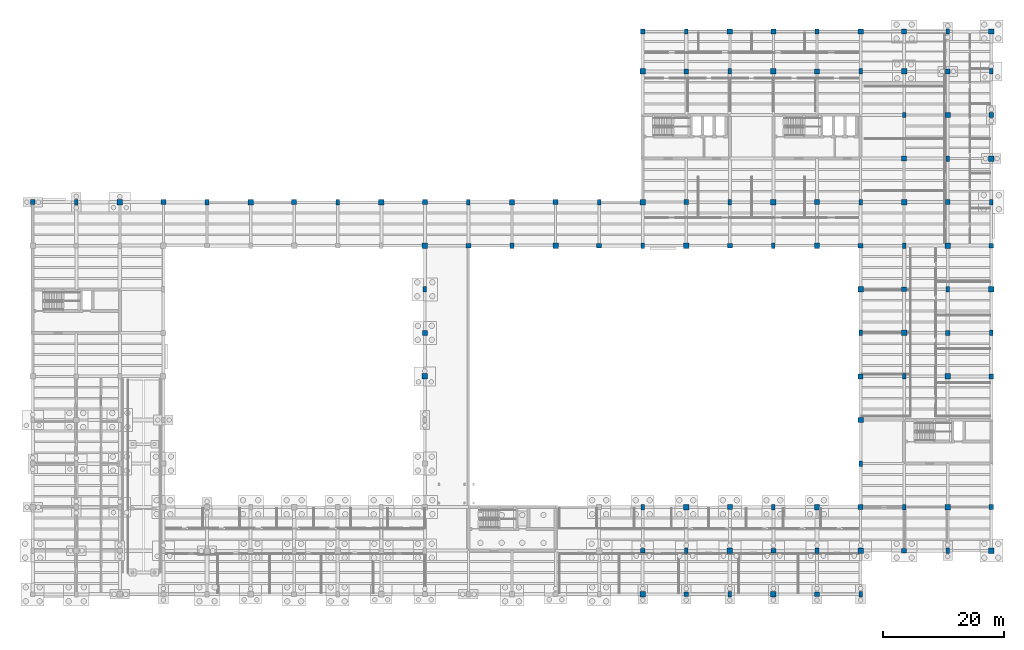
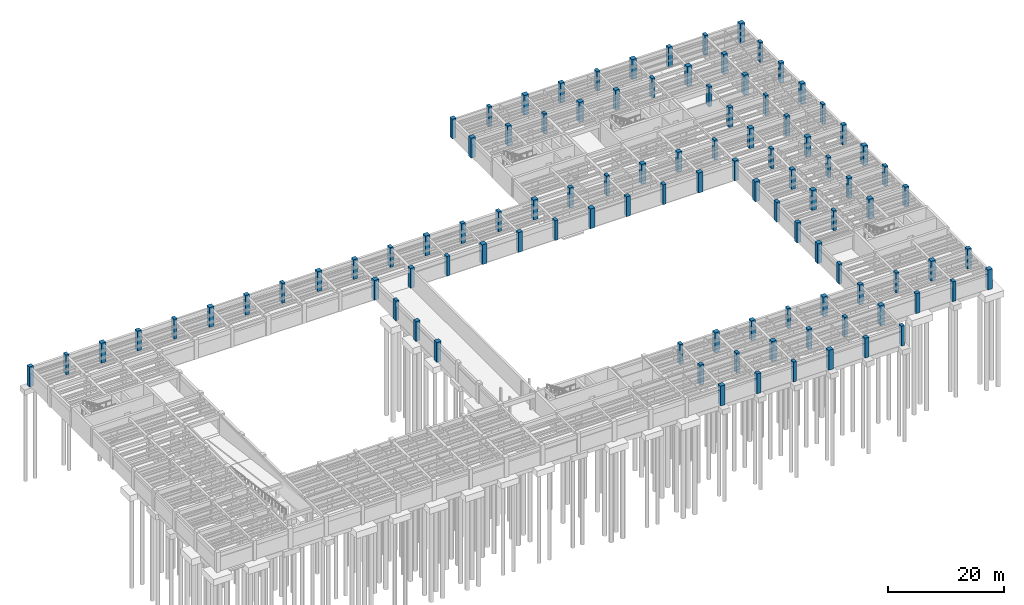
# One storey, part 7 of 33: 102 columns.
"""IFC4 building model written with IfcOpenShell, lengths in metres."""

from ifc_helpers import new_model, si_unit, direction, frame, origin, origin_2d, place, context, subcontext, project, spatial, rectangle, extrude, material, material_profile, profile_set, type_object, element, save


model = new_model("IFC4")

# Units and contexts
model_context = context("Model", 3, precision=1e-05, world=origin(), true_north=direction((0.0, 1.0)))
body_context = subcontext(model_context, "Body", "Model", "MODEL_VIEW")
ifc_project = project(units=[si_unit("LENGTHUNIT", "METRE"), si_unit("AREAUNIT", "SQUARE_METRE"), si_unit("VOLUMEUNIT", "CUBIC_METRE"), si_unit("PLANEANGLEUNIT", "RADIAN"), si_unit("MASSUNIT", "GRAM", prefix="KILO")], contexts=[model_context])

# Site, building, storey
site_placement = place(None, origin())
site = spatial("IfcSite", under=ifc_project, at=site_placement, CompositionType="ELEMENT")
building_placement = place(site_placement, origin())
building = spatial("IfcBuilding", under=site, at=building_placement, Name="Mithqara Police Headquarters", CompositionType="ELEMENT")
storey_placement = place(building_placement, frame((0.0, 0.0, -4.199951171875)))
storey = spatial("IfcBuildingStorey", under=building, at=storey_placement, Name="B1", CompositionType="ELEMENT", Elevation=-4.199951171875)

# Columns
ifc_material = material(Name="Concrete C50/60", Category="concrete")
ifc_material_profile_1 = material_profile(ifc_material, rectangle(XDim=0.60009765625, YDim=0.89990234375, at=origin_2d()), Name="RC 600x900")
ifc_profile_set_1 = profile_set([ifc_material_profile_1], Name="Concrete C50/60")
column_type_1 = type_object("IfcColumnType", Name="COLUMN RC600X900", PredefinedType="COLUMN", material=ifc_profile_set_1)
for number, where, z_axis, x_axis, name in (
    (1, (15.0, 85.800048828125, 0.0), (0.0, 0.0, 1.0), (1.0, 0.0, 0.0), "B1 Column 3/N"),
    (2, (36.60009765625, 85.800048828125, 0.0), (0.0, 0.0, 1.0), (1.0, 0.0, 0.0), "B1 Column 6/N"),
    (3, (58.199951171875, 85.800048828125, 0.0), (0.0, 0.0, 1.0), (1.0, 0.0, 0.0), "B1 Column 9/N"),
    (4, (72.60009765625, 71.39990234375, 0.0), (0.0, 0.0, 1.0), (1.0, 0.0, 0.0), "B1 Column 11/L"),
    (5, (79.800048828125, 85.800048828125, 0.0), (0.0, 0.0, 1.0), (1.0, 0.0, 0.0), "B1 Column 12/N"),
    (6, (87.0, 78.60009765625, 0.0), (0.0, 0.0, 1.0), (1.0, 0.0, 0.0), "B1 Column 13/M"),
    (7, (101.39990234375, 85.800048828125, 0.0), (0.0, 0.0, 1.0), (1.0, 0.0, 0.0), "B1 Column 15/N"),
    (8, (108.60009765625, 35.39990234375, 0.0), (0.0, 0.0, 1.0), (1.0, 0.0, 0.0), "B1 Column 16/F"),
    (9, (108.60009765625, 78.60009765625, 0.0), (0.0, 0.0, 1.0), (1.0, 0.0, 0.0), "B1 Column 16/M"),
    (10, (115.800048828125, 28.199951171875, 0.0), (0.0, 0.0, 1.0), (1.0, 0.0, 0.0), "B1 Column 17/E"),
    (11, (115.800048828125, 114.0, 0.0), (0.0, 0.0, 1.0), (1.0, 0.0, 0.0), "B1 Column 17/S"),
    (12, (123.0, 21.0, 0.0), (0.0, 0.0, 1.0), (1.0, 0.0, 0.0), "B1 Column 18/D"),
    (13, (123.0, 85.800048828125, 0.0), (0.0, 0.0, 1.0), (1.0, 0.0, 0.0), "B1 Column 18/N"),
    (14, (123.0, 107.39990234375, 0.0), (0.0, 0.0, 1.0), (1.0, 0.0, 0.0), "B1 Column 18/R"),
    (15, (130.199951171875, 35.39990234375, 0.0), (0.0, 0.0, 1.0), (1.0, 0.0, 0.0), "B1 Column 19/F"),
    (16, (130.199951171875, 78.60009765625, 0.0), (0.0, 0.0, 1.0), (1.0, 0.0, 0.0), "B1 Column 19/M"),
    (17, (137.39990234375, 28.199951171875, 0.0), (0.0, 0.0, 1.0), (1.0, 0.0, 0.0), "B1 Column 20/E"),
    (18, (137.39990234375, 114.0, 0.0), (0.0, 0.0, 1.0), (1.0, 0.0, 0.0), "B1 Column 20/S"),
    (19, (144.60009765625, 21.0, 0.0), (0.0, 0.0, 1.0), (1.0, 0.0, 0.0), "B1 Column 21/D"),
    (20, (144.60009765625, 42.60009765625, 0.0), (0.0, 0.0, 1.0), (1.0, 0.0, 0.0), "B1 Column 21/G"),
    (21, (144.60009765625, 64.199951171875, 0.0), (0.0, 0.0, 1.0), (1.0, 0.0, 0.0), "B1 Column 21/K"),
    (22, (144.60009765625, 85.800048828125, 0.0), (0.0, 0.0, 1.0), (1.0, 0.0, 0.0), "B1 Column 21/N"),
    (23, (144.60009765625, 107.39990234375, 0.0), (0.0, 0.0, 1.0), (1.0, 0.0, 0.0), "B1 Column 21/R"),
    (24, (151.800048828125, 35.39990234375, 0.0), (0.0, 0.0, 1.0), (1.0, 0.0, 0.0), "B1 Column 22/F"),
    (25, (151.800048828125, 57.0, 0.0), (0.0, 0.0, 1.0), (1.0, 0.0, 0.0), "B1 Column 22/J"),
    (26, (151.800048828125, 78.60009765625, 0.0), (0.0, 0.0, 1.0), (1.0, 0.0, 0.0), "B1 Column 22/M"),
    (27, (151.800048828125, 100.199951171875, 0.0), (0.0, 0.0, 1.0), (1.0, 0.0, 0.0), "B1 Column 22/Q"),
    (28, (159.0, 28.199951171875, 0.0), (0.0, 0.0, 1.0), (1.0, 0.0, 0.0), "B1 Column 23/E"),
    (29, (159.0, 71.39990234375, 0.0), (0.0, 0.0, 1.0), (1.0, 0.0, 0.0), "B1 Column 23/L"),
    (30, (159.0, 93.0, 0.0), (0.0, 0.0, 1.0), (1.0, 0.0, 0.0), "B1 Column 23/P"),
    (31, (159.0, 114.0, 0.0), (0.0, 0.0, 1.0), (1.0, 0.0, 0.0), "B1 Column 23/S"),
    (32, (166.199951171875, 64.199951171875, 0.0), (0.0, 0.0, 1.0), (1.0, 0.0, 0.0), "B1 Column 24/K"),
    (33, (166.199951171875, 85.800048828125, 0.0), (0.0, 0.0, 1.0), (1.0, 0.0, 0.0), "B1 Column 24/N"),
    (34, (166.199951171875, 107.39990234375, 0.0), (0.0, 0.0, 1.0), (1.0, 0.0, 0.0), "B1 Column 24/R"),
):
    element("IfcColumn", number, at=place(storey_placement, frame(where, z_axis=z_axis, x_axis=x_axis)), inside=storey, type_object=column_type_1, Name=name, PredefinedType="COLUMN", context=body_context, shape_type="SweptSolid", body=[
        extrude(rectangle(XDim=0.60009765625, YDim=0.89990234375, at=origin_2d()), origin(), (0.0, 0.0, 1.0), 4.199951171875),
    ])
ifc_material_profile_2 = material_profile(ifc_material, rectangle(XDim=0.800048828125, YDim=0.800048828125, at=origin_2d()), Name="RC 800x800")
ifc_profile_set_2 = profile_set([ifc_material_profile_2], Name="Concrete C50/60")
column_type_2 = type_object("IfcColumnType", Name="COLUMN RC800", PredefinedType="COLUMN", material=ifc_profile_set_2)
for number, where, z_axis, x_axis, name in (
    (35, (7.800048828125, 85.800048828125, 0.0), (0.0, 0.0, 1.0), (1.0, 0.0, 0.0), "B1 Column 2/N"),
    (36, (29.39990234375, 85.800048828125, 0.0), (0.0, 0.0, 1.0), (1.0, 0.0, 0.0), "B1 Column 5/N"),
    (37, (51.0, 85.800048828125, 0.0), (0.0, 0.0, 1.0), (1.0, 0.0, 0.0), "B1 Column 8/N"),
    (38, (72.60009765625, 64.199951171875, 0.0), (0.0, 0.0, 1.0), (1.0, 0.0, 0.0), "B1 Column 11/K"),
    (39, (72.60009765625, 85.800048828125, 0.0), (0.0, 0.0, 1.0), (1.0, 0.0, 0.0), "B1 Column 11/N"),
    (40, (79.800048828125, 78.60009765625, 0.0), (0.0, 0.0, 1.0), (1.0, 0.0, 0.0), "B1 Column 12/M"),
    (41, (94.199951171875, 85.800048828125, 0.0), (0.0, 0.0, 1.0), (1.0, 0.0, 0.0), "B1 Column 14/N"),
    (42, (101.39990234375, 78.60009765625, 0.0), (0.0, 0.0, 1.0), (1.0, 0.0, 0.0), "B1 Column 15/M"),
    (43, (108.60009765625, 28.199951171875, 0.0), (0.0, 0.0, 1.0), (1.0, 0.0, 0.0), "B1 Column 16/E"),
    (44, (108.60009765625, 114.0, 0.0), (0.0, 0.0, 1.0), (1.0, 0.0, 0.0), "B1 Column 16/S"),
    (45, (115.800048828125, 21.0, 0.0), (0.0, 0.0, 1.0), (1.0, 0.0, 0.0), "B1 Column 17/D"),
    (46, (115.800048828125, 85.800048828125, 0.0), (0.0, 0.0, 1.0), (1.0, 0.0, 0.0), "B1 Column 17/N"),
    (47, (115.800048828125, 107.39990234375, 0.0), (0.0, 0.0, 1.0), (1.0, 0.0, 0.0), "B1 Column 17/R"),
    (48, (123.0, 35.39990234375, 0.0), (0.0, 0.0, 1.0), (1.0, 0.0, 0.0), "B1 Column 18/F"),
    (49, (123.0, 78.60009765625, 0.0), (0.0, 0.0, 1.0), (1.0, 0.0, 0.0), "B1 Column 18/M"),
    (50, (130.199951171875, 28.199951171875, 0.0), (0.0, 0.0, 1.0), (1.0, 0.0, 0.0), "B1 Column 19/E"),
    (51, (130.199951171875, 114.0, 0.0), (0.0, 0.0, 1.0), (1.0, 0.0, 0.0), "B1 Column 19/S"),
    (52, (137.39990234375, 21.0, 0.0), (0.0, 0.0, 1.0), (1.0, 0.0, 0.0), "B1 Column 20/D"),
    (53, (137.39990234375, 85.800048828125, 0.0), (0.0, 0.0, 1.0), (1.0, 0.0, 0.0), "B1 Column 20/N"),
    (54, (137.39990234375, 107.39990234375, 0.0), (0.0, 0.0, 1.0), (1.0, 0.0, 0.0), "B1 Column 20/R"),
    (55, (144.60009765625, 35.39990234375, 0.0), (0.0, 0.0, 1.0), (1.0, 0.0, 0.0), "B1 Column 21/F"),
    (56, (144.60009765625, 57.0, 0.0), (0.0, 0.0, 1.0), (1.0, 0.0, 0.0), "B1 Column 21/J"),
    (57, (144.60009765625, 78.60009765625, 0.0), (0.0, 0.0, 1.0), (1.0, 0.0, 0.0), "B1 Column 21/M"),
    (58, (151.800048828125, 28.199951171875, 0.0), (0.0, 0.0, 1.0), (1.0, 0.0, 0.0), "B1 Column 22/E"),
    (59, (151.800048828125, 71.39990234375, 0.0), (0.0, 0.0, 1.0), (1.0, 0.0, 0.0), "B1 Column 22/L"),
    (60, (151.800048828125, 93.0, 0.0), (0.0, 0.0, 1.0), (1.0, 0.0, 0.0), "B1 Column 22/P"),
    (61, (151.800048828125, 114.0, 0.0), (0.0, 0.0, 1.0), (1.0, 0.0, 0.0), "B1 Column 22/S"),
    (62, (159.0, 64.199951171875, 0.0), (0.0, 0.0, 1.0), (1.0, 0.0, 0.0), "B1 Column 23/K"),
    (63, (159.0, 85.800048828125, 0.0), (0.0, 0.0, 1.0), (1.0, 0.0, 0.0), "B1 Column 23/N"),
    (64, (159.0, 107.39990234375, 0.0), (0.0, 0.0, 1.0), (1.0, 0.0, 0.0), "B1 Column 23/R"),
    (65, (166.199951171875, 35.39990234375, 0.0), (0.0, 0.0, 1.0), (1.0, 0.0, 0.0), "B1 Column 24/F"),
    (66, (166.199951171875, 57.0, 0.0), (0.0, 0.0, 1.0), (1.0, 0.0, 0.0), "B1 Column 24/J"),
    (67, (166.199951171875, 78.60009765625, 0.0), (0.0, 0.0, 1.0), (1.0, 0.0, 0.0), "B1 Column 24/M"),
    (68, (166.199951171875, 100.199951171875, 0.0), (0.0, 0.0, 1.0), (1.0, 0.0, 0.0), "B1 Column 24/Q"),
):
    element("IfcColumn", number, at=place(storey_placement, frame(where, z_axis=z_axis, x_axis=x_axis)), inside=storey, type_object=column_type_2, Name=name, PredefinedType="COLUMN", context=body_context, shape_type="SweptSolid", body=[
        extrude(rectangle(XDim=0.800048828125, YDim=0.800048828125, at=origin_2d()), origin(), (0.0, 0.0, 1.0), 4.199951171875),
    ])
ifc_material_profile_3 = material_profile(ifc_material, rectangle(XDim=0.89990234375, YDim=0.89990234375, at=origin_2d()), Name="RC 900x900")
ifc_profile_set_3 = profile_set([ifc_material_profile_3], Name="Concrete C50/60")
column_type_3 = type_object("IfcColumnType", Name="COLUMN RC900", PredefinedType="COLUMN", material=ifc_profile_set_3)
for number, where, z_axis, x_axis, name in (
    (69, (22.199951171875, 85.800048828125, 0.0), (0.0, 0.0, 1.0), (1.0, 0.0, 0.0), "B1 Column 4/N"),
    (70, (43.800048828125, 85.800048828125, 0.0), (0.0, 0.0, 1.0), (1.0, 0.0, 0.0), "B1 Column 7/N"),
    (71, (65.39990234375, 85.800048828125, 0.0), (0.0, 0.0, 1.0), (1.0, 0.0, 0.0), "B1 Column 10/N"),
    (72, (72.60009765625, 57.0, 0.0), (0.0, 0.0, 1.0), (1.0, 0.0, 0.0), "B1 Column 11/J"),
    (73, (72.60009765625, 78.60009765625, 0.0), (0.0, 0.0, 1.0), (1.0, 0.0, 0.0), "B1 Column 11/M"),
    (74, (87.0, 85.800048828125, 0.0), (0.0, 0.0, 1.0), (1.0, 0.0, 0.0), "B1 Column 13/N"),
    (75, (94.199951171875, 78.60009765625, 0.0), (0.0, 0.0, 1.0), (1.0, 0.0, 0.0), "B1 Column 14/M"),
    (76, (108.60009765625, 21.0, 0.0), (0.0, 0.0, 1.0), (1.0, 0.0, 0.0), "B1 Column 16/D"),
    (77, (108.60009765625, 85.800048828125, 0.0), (0.0, 0.0, 1.0), (1.0, 0.0, 0.0), "B1 Column 16/N"),
    (78, (108.60009765625, 107.39990234375, 0.0), (0.0, 0.0, 1.0), (1.0, 0.0, 0.0), "B1 Column 16/R"),
    (79, (115.800048828125, 35.39990234375, 0.0), (0.0, 0.0, 1.0), (1.0, 0.0, 0.0), "B1 Column 17/F"),
    (80, (115.800048828125, 78.60009765625, 0.0), (0.0, 0.0, 1.0), (1.0, 0.0, 0.0), "B1 Column 17/M"),
    (81, (123.0, 28.199951171875, 0.0), (0.0, 0.0, 1.0), (1.0, 0.0, 0.0), "B1 Column 18/E"),
    (82, (123.0, 114.0, 0.0), (0.0, 0.0, 1.0), (1.0, 0.0, 0.0), "B1 Column 18/S"),
    (83, (130.199951171875, 21.0, 0.0), (0.0, 0.0, 1.0), (1.0, 0.0, 0.0), "B1 Column 19/D"),
    (84, (130.199951171875, 85.800048828125, 0.0), (0.0, 0.0, 1.0), (1.0, 0.0, 0.0), "B1 Column 19/N"),
    (85, (130.199951171875, 107.39990234375, 0.0), (0.0, 0.0, 1.0), (1.0, 0.0, 0.0), "B1 Column 19/R"),
    (86, (137.39990234375, 35.39990234375, 0.0), (0.0, 0.0, 1.0), (1.0, 0.0, 0.0), "B1 Column 20/F"),
    (87, (137.39990234375, 78.60009765625, 0.0), (0.0, 0.0, 1.0), (1.0, 0.0, 0.0), "B1 Column 20/M"),
    (88, (144.60009765625, 28.199951171875, 0.0), (0.0, 0.0, 1.0), (1.0, 0.0, 0.0), "B1 Column 21/E"),
    (89, (144.60009765625, 49.800048828125, 0.0), (0.0, 0.0, 1.0), (1.0, 0.0, 0.0), "B1 Column 21/H"),
    (90, (144.60009765625, 71.39990234375, 0.0), (0.0, 0.0, 1.0), (1.0, 0.0, 0.0), "B1 Column 21/L"),
    (91, (144.60009765625, 114.0, 0.0), (0.0, 0.0, 1.0), (1.0, 0.0, 0.0), "B1 Column 21/S"),
    (92, (151.800048828125, 64.199951171875, 0.0), (0.0, 0.0, 1.0), (1.0, 0.0, 0.0), "B1 Column 22/K"),
    (93, (151.800048828125, 85.800048828125, 0.0), (0.0, 0.0, 1.0), (1.0, 0.0, 0.0), "B1 Column 22/N"),
    (94, (151.800048828125, 107.39990234375, 0.0), (0.0, 0.0, 1.0), (1.0, 0.0, 0.0), "B1 Column 22/R"),
    (95, (159.0, 35.39990234375, 0.0), (0.0, 0.0, 1.0), (1.0, 0.0, 0.0), "B1 Column 23/F"),
    (96, (159.0, 57.0, 0.0), (0.0, 0.0, 1.0), (1.0, 0.0, 0.0), "B1 Column 23/J"),
    (97, (159.0, 78.60009765625, 0.0), (0.0, 0.0, 1.0), (1.0, 0.0, 0.0), "B1 Column 23/M"),
    (98, (159.0, 100.199951171875, 0.0), (0.0, 0.0, 1.0), (1.0, 0.0, 0.0), "B1 Column 23/Q"),
    (99, (166.199951171875, 28.199951171875, 0.0), (0.0, 0.0, 1.0), (1.0, 0.0, 0.0), "B1 Column 24/E"),
    (100, (166.199951171875, 71.39990234375, 0.0), (0.0, 0.0, 1.0), (1.0, 0.0, 0.0), "B1 Column 24/L"),
    (101, (166.199951171875, 93.0, 0.0), (0.0, 0.0, 1.0), (1.0, 0.0, 0.0), "B1 Column 24/P"),
    (102, (166.199951171875, 114.0, 0.0), (0.0, 0.0, 1.0), (1.0, 0.0, 0.0), "B1 Column 24/S"),
):
    element("IfcColumn", number, at=place(storey_placement, frame(where, z_axis=z_axis, x_axis=x_axis)), inside=storey, type_object=column_type_3, Name=name, PredefinedType="COLUMN", context=body_context, shape_type="SweptSolid", body=[
        extrude(rectangle(XDim=0.89990234375, YDim=0.89990234375, at=origin_2d()), origin(), (0.0, 0.0, 1.0), 4.199951171875),
    ])

save(model, "model.ifc")
